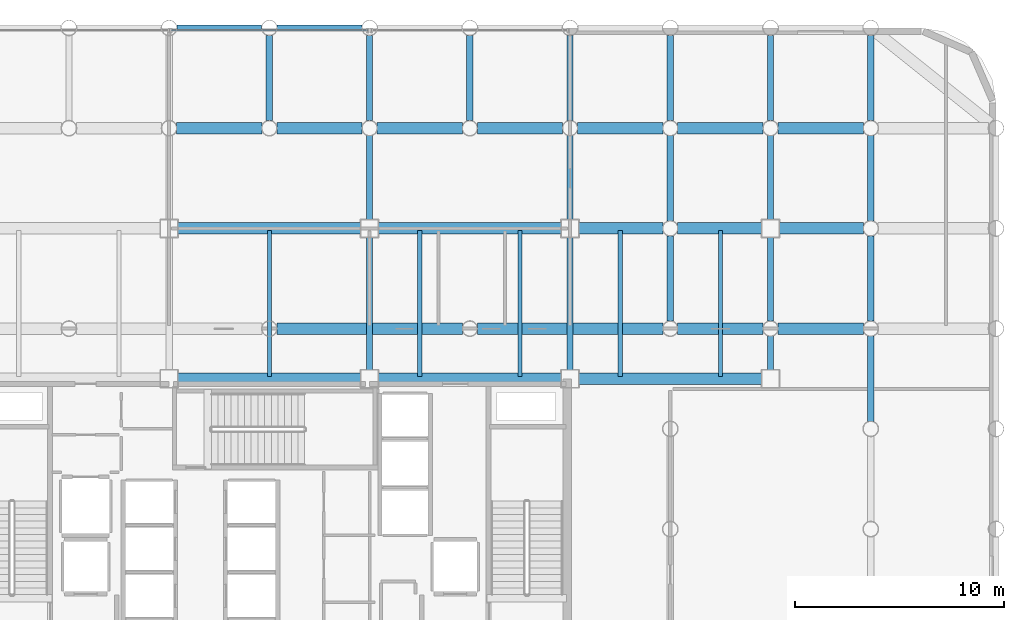
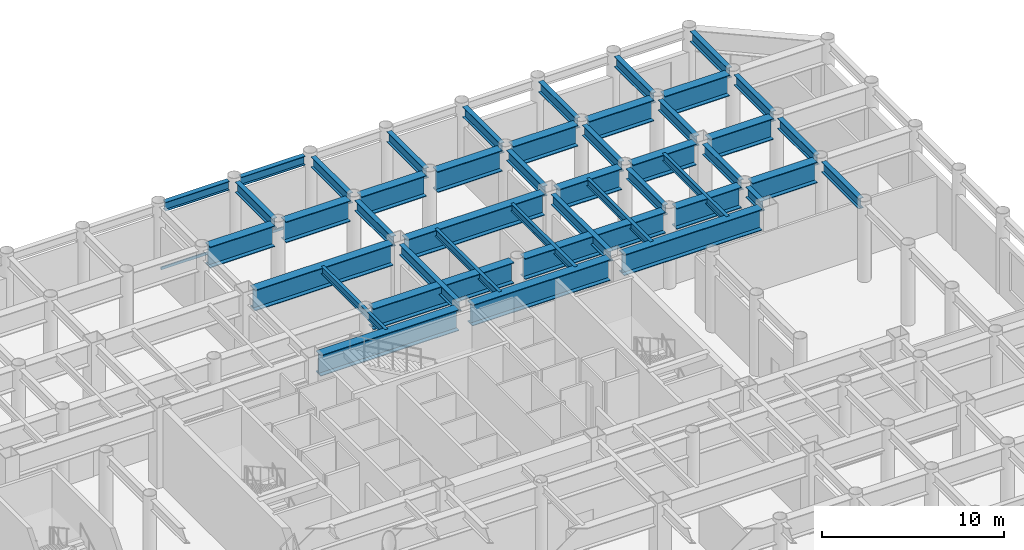
# One storey, part 9 of 17: 45 beams, 1 member, 1 element without a shape of its own.
"""IFC4 building model written with IfcOpenShell, lengths in metres."""

from ifc_helpers import new_model, si_unit, direction, frame, origin, origin_2d, place, context, subcontext, project, spatial, hollow_rectangle, i_section, extrude, material, layer, layer_set, material_profile, profile_set, type_object, element, aggregate, save


model = new_model("IFC4")

# Units and contexts
model_context = context("Model", 3, precision=1e-05, world=origin(), true_north=direction((0.0, 1.0)))
body_context = subcontext(model_context, "Body", "Model", "MODEL_VIEW")
ifc_project = project(units=[si_unit("LENGTHUNIT", "METRE"), si_unit("AREAUNIT", "SQUARE_METRE"), si_unit("VOLUMEUNIT", "CUBIC_METRE"), si_unit("PLANEANGLEUNIT", "RADIAN"), si_unit("MASSUNIT", "GRAM", prefix="KILO")], contexts=[model_context])

# Site, building, storey
site_placement = place(None, origin())
site = spatial("IfcSite", under=ifc_project, at=site_placement, CompositionType="ELEMENT")
building_placement = place(site_placement, origin())
building = spatial("IfcBuilding", under=site, at=building_placement, Name="Kallvorn Hotel Tower", CompositionType="ELEMENT")
storey_placement = place(building_placement, frame((0.0, 0.0, 19.199951171875)))
storey = spatial("IfcBuildingStorey", under=building, at=storey_placement, Name="L03", CompositionType="ELEMENT", Elevation=19.199951171875)

# Beams
ifc_material_1 = material(Name="Structural steel S355JR", Category="steel")
ifc_material_profile_1 = material_profile(ifc_material_1, i_section(OverallWidth=0.300048828125, OverallDepth=0.60009765625, WebThickness=0.015380859375, FlangeThickness=0.030029296875, at=origin_2d()), Name="HE 600 B")
ifc_profile_set_1 = profile_set([ifc_material_profile_1], Name="Structural steel S355JR")
beam_type_1 = type_object("IfcBeamType", Name="BM_HE600B", PredefinedType="SPANDREL", material=ifc_profile_set_1)
for number, where, z_axis, x_axis, name in (
    (1, (-4.428955078125, 24.0, 4.880126953125), (1.0, 0.0, 0.0), (0.0, 1.0, 0.0), "L04 Perimeter Spandrel 189"),
    (2, (0.37109375, 24.0, 4.880126953125), (1.0, 0.0, 0.0), (0.0, 1.0, 0.0), "L04 Perimeter Spandrel 190"),
):
    element("IfcBeam", number, at=place(storey_placement, frame(where, z_axis=z_axis, x_axis=x_axis)), inside=storey, type_object=beam_type_1, Name=name, PredefinedType="SPANDREL", context=body_context, shape_type="SweptSolid", body=[
        extrude(i_section(OverallWidth=0.300048828125, OverallDepth=0.60009765625, WebThickness=0.015380859375, FlangeThickness=0.030029296875, at=origin_2d()), origin(), (0.0, 0.0, 1.0), 4.057861328125),
    ])
ifc_material_2 = material(Name="Structural steel S355JR", Category="steel")
ifc_material_profile_2 = material_profile(ifc_material_2, i_section(OverallWidth=0.300048828125, OverallDepth=0.699951171875, WebThickness=0.01708984375, FlangeThickness=0.031982421875, at=origin_2d()), Name="HE 700 B")
ifc_profile_set_2 = profile_set([ifc_material_profile_2], Name="Structural steel S355JR")
beam_type_2 = type_object("IfcBeamType", Name="BM_HE700B", PredefinedType="BEAM", material=ifc_profile_set_2)
beam_1_placement = place(storey_placement, frame((0.0, 19.555908203125, 4.830078125), z_axis=(0.0, 1.0, 0.0), x_axis=(-1.0, 0.0, 0.0)))
element("IfcBeam", 3, at=beam_1_placement, inside=storey, type_object=beam_type_2, Name="L04 Primary Y-Girder 127", PredefinedType="BEAM", context=body_context, shape_type="SweptSolid", body=[
    extrude(i_section(OverallWidth=0.300048828125, OverallDepth=0.699951171875, WebThickness=0.01708984375, FlangeThickness=0.031982421875, at=origin_2d()), origin(), (0.0, 0.0, 1.0), 4.088134765625),
])
beam_2_placement = place(storey_placement, frame((4.800048828125, 7.625, 4.830078125), z_axis=(0.0, 1.0, 0.0), x_axis=(-1.0, 0.0, 0.0)))
element("IfcBeam", 4, at=beam_2_placement, inside=storey, type_object=beam_type_2, Name="L04 Primary Y-Girder 131", PredefinedType="BEAM", context=body_context, shape_type="SweptSolid", body=[
    extrude(i_section(OverallWidth=0.300048828125, OverallDepth=0.699951171875, WebThickness=0.01708984375, FlangeThickness=0.031982421875, at=origin_2d()), origin(), (0.0, 0.0, 1.0), 6.35009765625),
])
beam_3_placement = place(storey_placement, frame((4.800048828125, 14.824951171875, 4.830078125), z_axis=(0.0, 1.0, 0.0), x_axis=(-1.0, 0.0, 0.0)))
element("IfcBeam", 5, at=beam_3_placement, inside=storey, type_object=beam_type_2, Name="L04 Primary Y-Girder 132", PredefinedType="BEAM", context=body_context, shape_type="SweptSolid", body=[
    extrude(i_section(OverallWidth=0.300048828125, OverallDepth=0.699951171875, WebThickness=0.01708984375, FlangeThickness=0.031982421875, at=origin_2d()), origin(), (0.0, 0.0, 1.0), 4.01904296875),
])
for number, where, z_axis, x_axis, name in (
    (6, (4.800048828125, 19.555908203125, 4.830078125), (0.0, 1.0, 0.0), (-1.0, 0.0, 0.0), "L04 Primary Y-Girder 133"),
    (7, (9.60009765625, 19.555908203125, 4.830078125), (0.0, 1.0, 0.0), (-1.0, 0.0, 0.0), "L04 Primary Y-Girder 137"),
):
    element("IfcBeam", number, at=place(storey_placement, frame(where, z_axis=z_axis, x_axis=x_axis)), inside=storey, type_object=beam_type_2, Name=name, PredefinedType="BEAM", context=body_context, shape_type="SweptSolid", body=[
        extrude(i_section(OverallWidth=0.300048828125, OverallDepth=0.699951171875, WebThickness=0.01708984375, FlangeThickness=0.031982421875, at=origin_2d()), origin(), (0.0, 0.0, 1.0), 4.088134765625),
    ])
beam_4_placement = place(storey_placement, frame((14.39990234375, 7.625, 4.830078125), z_axis=(0.0, 1.0, 0.0), x_axis=(-1.0, 0.0, 0.0)))
element("IfcBeam", 8, at=beam_4_placement, inside=storey, type_object=beam_type_2, Name="L04 Primary Y-Girder 141", PredefinedType="BEAM", context=body_context, shape_type="SweptSolid", body=[
    extrude(i_section(OverallWidth=0.300048828125, OverallDepth=0.699951171875, WebThickness=0.01708984375, FlangeThickness=0.031982421875, at=origin_2d()), origin(), (0.0, 0.0, 1.0), 6.35009765625),
])
beam_5_placement = place(storey_placement, frame((14.39990234375, 14.824951171875, 4.830078125), z_axis=(0.0, 1.0, 0.0), x_axis=(-1.0, 0.0, 0.0)))
element("IfcBeam", 9, at=beam_5_placement, inside=storey, type_object=beam_type_2, Name="L04 Primary Y-Girder 142", PredefinedType="BEAM", context=body_context, shape_type="SweptSolid", body=[
    extrude(i_section(OverallWidth=0.300048828125, OverallDepth=0.699951171875, WebThickness=0.01708984375, FlangeThickness=0.031982421875, at=origin_2d()), origin(), (0.0, 0.0, 1.0), 4.01904296875),
])
beam_6_placement = place(storey_placement, frame((14.39990234375, 19.555908203125, 4.830078125), z_axis=(0.0, 1.0, 0.0), x_axis=(-1.0, 0.0, 0.0)))
element("IfcBeam", 10, at=beam_6_placement, inside=storey, type_object=beam_type_2, Name="L04 Primary Y-Girder 143", PredefinedType="BEAM", context=body_context, shape_type="SweptSolid", body=[
    extrude(i_section(OverallWidth=0.300048828125, OverallDepth=0.699951171875, WebThickness=0.01708984375, FlangeThickness=0.031982421875, at=origin_2d()), origin(), (0.0, 0.0, 1.0), 4.088134765625),
])
for number, where, z_axis, x_axis, name in (
    (11, (19.199951171875, 9.9560546875, 4.830078125), (0.0, 1.0, 0.0), (-1.0, 0.0, 0.0), "L04 Primary Y-Girder 151"),
    (12, (19.199951171875, 14.756103515625, 4.830078125), (0.0, 1.0, 0.0), (-1.0, 0.0, 0.0), "L04 Primary Y-Girder 152"),
):
    element("IfcBeam", number, at=place(storey_placement, frame(where, z_axis=z_axis, x_axis=x_axis)), inside=storey, type_object=beam_type_2, Name=name, PredefinedType="BEAM", context=body_context, shape_type="SweptSolid", body=[
        extrude(i_section(OverallWidth=0.300048828125, OverallDepth=0.699951171875, WebThickness=0.01708984375, FlangeThickness=0.031982421875, at=origin_2d()), origin(), (0.0, 0.0, 1.0), 4.087890625),
    ])
beam_7_placement = place(storey_placement, frame((19.199951171875, 19.555908203125, 4.830078125), z_axis=(0.0, 1.0, 0.0), x_axis=(-1.0, 0.0, 0.0)))
element("IfcBeam", 13, at=beam_7_placement, inside=storey, type_object=beam_type_2, Name="L04 Primary Y-Girder 153", PredefinedType="BEAM", context=body_context, shape_type="SweptSolid", body=[
    extrude(i_section(OverallWidth=0.300048828125, OverallDepth=0.699951171875, WebThickness=0.01708984375, FlangeThickness=0.031982421875, at=origin_2d()), origin(), (0.0, 0.0, 1.0), 4.088134765625),
])
beam_8_placement = place(storey_placement, frame((24.0, 7.625, 4.830078125), z_axis=(0.0, 1.0, 0.0), x_axis=(-1.0, 0.0, 0.0)))
element("IfcBeam", 14, at=beam_8_placement, inside=storey, type_object=beam_type_2, Name="L04 Primary Y-Girder 158", PredefinedType="BEAM", context=body_context, shape_type="SweptSolid", body=[
    extrude(i_section(OverallWidth=0.300048828125, OverallDepth=0.699951171875, WebThickness=0.01708984375, FlangeThickness=0.031982421875, at=origin_2d()), origin(), (0.0, 0.0, 1.0), 1.618896484375),
])
for number, where, z_axis, x_axis, name in (
    (15, (24.0, 9.9560546875, 4.830078125), (0.0, 1.0, 0.0), (-1.0, 0.0, 0.0), "L04 Primary Y-Girder 159"),
    (16, (24.0, 14.824951171875, 4.830078125), (0.0, 1.0, 0.0), (-1.0, 0.0, 0.0), "L04 Primary Y-Girder 160"),
):
    element("IfcBeam", number, at=place(storey_placement, frame(where, z_axis=z_axis, x_axis=x_axis)), inside=storey, type_object=beam_type_2, Name=name, PredefinedType="BEAM", context=body_context, shape_type="SweptSolid", body=[
        extrude(i_section(OverallWidth=0.300048828125, OverallDepth=0.699951171875, WebThickness=0.01708984375, FlangeThickness=0.031982421875, at=origin_2d()), origin(), (0.0, 0.0, 1.0), 4.01904296875),
    ])
beam_9_placement = place(storey_placement, frame((24.0, 19.555908203125, 4.830078125), z_axis=(0.0, 1.0, 0.0), x_axis=(-1.0, 0.0, 0.0)))
element("IfcBeam", 17, at=beam_9_placement, inside=storey, type_object=beam_type_2, Name="L04 Primary Y-Girder 161", PredefinedType="BEAM", context=body_context, shape_type="SweptSolid", body=[
    extrude(i_section(OverallWidth=0.300048828125, OverallDepth=0.699951171875, WebThickness=0.01708984375, FlangeThickness=0.031982421875, at=origin_2d()), origin(), (0.0, 0.0, 1.0), 4.088134765625),
])
for number, where, z_axis, x_axis, name in (
    (18, (28.800048828125, 5.156005859375, 4.830078125), (0.0, 1.0, 0.0), (-1.0, 0.0, 0.0), "L04 Primary Y-Girder 168"),
    (19, (28.800048828125, 9.9560546875, 4.830078125), (0.0, 1.0, 0.0), (-1.0, 0.0, 0.0), "L04 Primary Y-Girder 169"),
    (20, (28.800048828125, 14.756103515625, 4.830078125), (0.0, 1.0, 0.0), (-1.0, 0.0, 0.0), "L04 Primary Y-Girder 170"),
):
    element("IfcBeam", number, at=place(storey_placement, frame(where, z_axis=z_axis, x_axis=x_axis)), inside=storey, type_object=beam_type_2, Name=name, PredefinedType="BEAM", context=body_context, shape_type="SweptSolid", body=[
        extrude(i_section(OverallWidth=0.300048828125, OverallDepth=0.699951171875, WebThickness=0.01708984375, FlangeThickness=0.031982421875, at=origin_2d()), origin(), (0.0, 0.0, 1.0), 4.087890625),
    ])
beam_10_placement = place(storey_placement, frame((28.800048828125, 19.555908203125, 4.830078125), z_axis=(0.0, 1.0, 0.0), x_axis=(-1.0, 0.0, 0.0)))
element("IfcBeam", 21, at=beam_10_placement, inside=storey, type_object=beam_type_2, Name="L04 Primary Y-Girder 171", PredefinedType="BEAM", context=body_context, shape_type="SweptSolid", body=[
    extrude(i_section(OverallWidth=0.300048828125, OverallDepth=0.699951171875, WebThickness=0.01708984375, FlangeThickness=0.031982421875, at=origin_2d()), origin(), (0.0, 0.0, 1.0), 4.088134765625),
])
ifc_material_3 = material(Name="Structural steel S355JR", Category="steel")
ifc_material_profile_3 = material_profile(ifc_material_3, i_section(OverallWidth=0.199951171875, OverallDepth=0.5, WebThickness=0.01025390625, FlangeThickness=0.01611328125, at=origin_2d()), Name="IPE 500")
ifc_profile_set_3 = profile_set([ifc_material_profile_3], Name="Structural steel S355JR")
beam_type_3 = type_object("IfcBeamType", Name="BM_IPE500", PredefinedType="JOIST", material=ifc_profile_set_3)
for number, where, z_axis, x_axis, name in (
    (22, (0.0, 7.300048828125, 4.929931640625), (0.0, 1.0, 0.0), (-1.0, 0.0, 0.0), "L04 Secondary Composite Joist 225"),
    (23, (7.199951171875, 7.300048828125, 4.929931640625), (0.0, 1.0, 0.0), (-1.0, 0.0, 0.0), "L04 Secondary Composite Joist 227"),
    (24, (12.0, 7.300048828125, 4.929931640625), (0.0, 1.0, 0.0), (-1.0, 0.0, 0.0), "L04 Secondary Composite Joist 229"),
    (25, (16.800048828125, 7.300048828125, 4.929931640625), (0.0, 1.0, 0.0), (-1.0, 0.0, 0.0), "L04 Secondary Composite Joist 231"),
    (26, (21.60009765625, 7.300048828125, 4.929931640625), (0.0, 1.0, 0.0), (-1.0, 0.0, 0.0), "L04 Secondary Composite Joist 233"),
):
    element("IfcBeam", number, at=place(storey_placement, frame(where, z_axis=z_axis, x_axis=x_axis)), inside=storey, type_object=beam_type_3, Name=name, PredefinedType="JOIST", context=body_context, shape_type="SweptSolid", body=[
        extrude(i_section(OverallWidth=0.199951171875, OverallDepth=0.5, WebThickness=0.01025390625, FlangeThickness=0.01611328125, at=origin_2d()), origin(), (0.0, 0.0, 1.0), 7.0),
    ])
ifc_material_4 = material(Name="Structural steel S355JR", Category="steel")
ifc_material_profile_4 = material_profile(ifc_material_4, i_section(OverallWidth=0.550048828125, OverallDepth=1.39990234375, WebThickness=0.02490234375, FlangeThickness=0.044921875, at=origin_2d()), Name="PG 1400x550x25x45")
ifc_profile_set_4 = profile_set([ifc_material_profile_4], Name="Structural steel S355JR")
beam_type_4 = type_object("IfcBeamType", Name="BM_PG_1400", PredefinedType="BEAM", material=ifc_profile_set_4)
for number, where, z_axis, x_axis, name in (
    (27, (-4.375, 7.199951171875, 4.47998046875), (1.0, 0.0, 0.0), (0.0, 1.0, 0.0), "L04 Primary X-Girder 42"),
    (28, (5.22509765625, 7.199951171875, 4.47998046875), (1.0, 0.0, 0.0), (0.0, 1.0, 0.0), "L04 Primary X-Girder 43"),
    (29, (14.824951171875, 7.199951171875, 4.47998046875), (1.0, 0.0, 0.0), (0.0, 1.0, 0.0), "L04 Primary X-Girder 44"),
):
    element("IfcBeam", number, at=place(storey_placement, frame(where, z_axis=z_axis, x_axis=x_axis)), inside=storey, type_object=beam_type_4, Name=name, PredefinedType="BEAM", context=body_context, shape_type="SweptSolid", body=[
        extrude(i_section(OverallWidth=0.550048828125, OverallDepth=1.39990234375, WebThickness=0.02490234375, FlangeThickness=0.044921875, at=origin_2d()), origin(), (0.0, 0.0, 1.0), 8.75),
    ])
for number, where, z_axis, x_axis, name in (
    (30, (0.35595703125, 9.60009765625, 4.47998046875), (1.0, 0.0, 0.0), (0.0, 1.0, 0.0), "L04 Primary X-Girder 50"),
    (31, (9.9560546875, 9.60009765625, 4.47998046875), (1.0, 0.0, 0.0), (0.0, 1.0, 0.0), "L04 Primary X-Girder 51"),
):
    element("IfcBeam", number, at=place(storey_placement, frame(where, z_axis=z_axis, x_axis=x_axis)), inside=storey, type_object=beam_type_4, Name=name, PredefinedType="BEAM", context=body_context, shape_type="SweptSolid", body=[
        extrude(i_section(OverallWidth=0.550048828125, OverallDepth=1.39990234375, WebThickness=0.02490234375, FlangeThickness=0.044921875, at=origin_2d()), origin(), (0.0, 0.0, 1.0), 8.887939453125),
    ])
for number, where, z_axis, x_axis, name in (
    (32, (19.555908203125, 9.60009765625, 4.47998046875), (1.0, 0.0, 0.0), (0.0, 1.0, 0.0), "L04 Primary X-Girder 52"),
    (33, (24.35595703125, 9.60009765625, 4.47998046875), (1.0, 0.0, 0.0), (0.0, 1.0, 0.0), "L04 Primary X-Girder 53"),
):
    element("IfcBeam", number, at=place(storey_placement, frame(where, z_axis=z_axis, x_axis=x_axis)), inside=storey, type_object=beam_type_4, Name=name, PredefinedType="BEAM", context=body_context, shape_type="SweptSolid", body=[
        extrude(i_section(OverallWidth=0.550048828125, OverallDepth=1.39990234375, WebThickness=0.02490234375, FlangeThickness=0.044921875, at=origin_2d()), origin(), (0.0, 0.0, 1.0), 4.088134765625),
    ])
for number, where, z_axis, x_axis, name in (
    (34, (-4.375, 14.39990234375, 4.47998046875), (1.0, 0.0, 0.0), (0.0, 1.0, 0.0), "L04 Primary X-Girder 60"),
    (35, (5.22509765625, 14.39990234375, 4.47998046875), (1.0, 0.0, 0.0), (0.0, 1.0, 0.0), "L04 Primary X-Girder 61"),
):
    element("IfcBeam", number, at=place(storey_placement, frame(where, z_axis=z_axis, x_axis=x_axis)), inside=storey, type_object=beam_type_4, Name=name, PredefinedType="BEAM", context=body_context, shape_type="SweptSolid", body=[
        extrude(i_section(OverallWidth=0.550048828125, OverallDepth=1.39990234375, WebThickness=0.02490234375, FlangeThickness=0.044921875, at=origin_2d()), origin(), (0.0, 0.0, 1.0), 8.75),
    ])
for number, where, z_axis, x_axis, name in (
    (36, (14.824951171875, 14.39990234375, 4.47998046875), (1.0, 0.0, 0.0), (0.0, 1.0, 0.0), "L04 Primary X-Girder 62"),
    (37, (19.555908203125, 14.39990234375, 4.47998046875), (1.0, 0.0, 0.0), (0.0, 1.0, 0.0), "L04 Primary X-Girder 63"),
    (38, (24.425048828125, 14.39990234375, 4.47998046875), (1.0, 0.0, 0.0), (0.0, 1.0, 0.0), "L04 Primary X-Girder 64"),
):
    element("IfcBeam", number, at=place(storey_placement, frame(where, z_axis=z_axis, x_axis=x_axis)), inside=storey, type_object=beam_type_4, Name=name, PredefinedType="BEAM", context=body_context, shape_type="SweptSolid", body=[
        extrude(i_section(OverallWidth=0.550048828125, OverallDepth=1.39990234375, WebThickness=0.02490234375, FlangeThickness=0.044921875, at=origin_2d()), origin(), (0.0, 0.0, 1.0), 4.01904296875),
    ])
for number, where, z_axis, x_axis, name in (
    (39, (-4.444091796875, 19.199951171875, 4.47998046875), (1.0, 0.0, 0.0), (0.0, 1.0, 0.0), "L04 Primary X-Girder 72"),
    (40, (0.35595703125, 19.199951171875, 4.47998046875), (1.0, 0.0, 0.0), (0.0, 1.0, 0.0), "L04 Primary X-Girder 73"),
):
    element("IfcBeam", number, at=place(storey_placement, frame(where, z_axis=z_axis, x_axis=x_axis)), inside=storey, type_object=beam_type_4, Name=name, PredefinedType="BEAM", context=body_context, shape_type="SweptSolid", body=[
        extrude(i_section(OverallWidth=0.550048828125, OverallDepth=1.39990234375, WebThickness=0.02490234375, FlangeThickness=0.044921875, at=origin_2d()), origin(), (0.0, 0.0, 1.0), 4.088134765625),
    ])
for number, where, z_axis, x_axis, name in (
    (41, (5.156005859375, 19.199951171875, 4.47998046875), (1.0, 0.0, 0.0), (0.0, 1.0, 0.0), "L04 Primary X-Girder 74"),
    (42, (9.9560546875, 19.199951171875, 4.47998046875), (1.0, 0.0, 0.0), (0.0, 1.0, 0.0), "L04 Primary X-Girder 75"),
    (43, (14.756103515625, 19.199951171875, 4.47998046875), (1.0, 0.0, 0.0), (0.0, 1.0, 0.0), "L04 Primary X-Girder 76"),
):
    element("IfcBeam", number, at=place(storey_placement, frame(where, z_axis=z_axis, x_axis=x_axis)), inside=storey, type_object=beam_type_4, Name=name, PredefinedType="BEAM", context=body_context, shape_type="SweptSolid", body=[
        extrude(i_section(OverallWidth=0.550048828125, OverallDepth=1.39990234375, WebThickness=0.02490234375, FlangeThickness=0.044921875, at=origin_2d()), origin(), (0.0, 0.0, 1.0), 4.087890625),
    ])
for number, where, z_axis, x_axis, name in (
    (44, (19.555908203125, 19.199951171875, 4.47998046875), (1.0, 0.0, 0.0), (0.0, 1.0, 0.0), "L04 Primary X-Girder 77"),
    (45, (24.35595703125, 19.199951171875, 4.47998046875), (1.0, 0.0, 0.0), (0.0, 1.0, 0.0), "L04 Primary X-Girder 78"),
):
    element("IfcBeam", number, at=place(storey_placement, frame(where, z_axis=z_axis, x_axis=x_axis)), inside=storey, type_object=beam_type_4, Name=name, PredefinedType="BEAM", context=body_context, shape_type="SweptSolid", body=[
        extrude(i_section(OverallWidth=0.550048828125, OverallDepth=1.39990234375, WebThickness=0.02490234375, FlangeThickness=0.044921875, at=origin_2d()), origin(), (0.0, 0.0, 1.0), 4.088134765625),
    ])

# Curtain wall, member
ifc_material_5 = material(Name="Thermally broken black-anodised aluminium AA 6063-T6", Category="aluminium")
ifc_layer = layer(ifc_material_5, 0.219970703125)
ifc_layer_set = layer_set([ifc_layer], Name="CW_SYS_2_PODIUM_CASC")
curtain_wall_type = type_object("IfcCurtainWallType", Name="CW_SYS_2_PODIUM_CASC", PredefinedType="USERDEFINED", material=ifc_layer_set)
curtain_wall_placement = place(storey_placement, origin())
curtain_wall = element("IfcCurtainWall", 46, at=curtain_wall_placement, inside=storey, type_object=curtain_wall_type, Name="L03 Dark-Glass Curtain Wall CW-L03-N2", ObjectType="UNITISED CURTAIN WALL", PredefinedType="USERDEFINED")
ifc_material_6 = material(Name="Thermally broken black-anodised aluminium AA 6063-T6", Category="aluminium")
ifc_material_profile_5 = material_profile(ifc_material_6, hollow_rectangle(XDim=0.070068359375, YDim=0.179931640625, WallThickness=0.00390625, at=origin_2d()), Name="TRN 180x70")
ifc_profile_set_5 = profile_set([ifc_material_profile_5], Name="Thermally broken black-anodised aluminium AA 6063-T6")
member_type = type_object("IfcMemberType", Name="CW_TRANSOM_180x70", PredefinedType="USERDEFINED", material=ifc_profile_set_5)
member_placement = place(storey_placement, frame((-4.7099609375, 23.8798828125, 0.85009765625), z_axis=(1.0, 0.0, 0.0), x_axis=(0.0, 1.0, 0.0)))
member = element("IfcMember", 47, at=member_placement, type_object=member_type, Name="CW-L03-N2 Transom 00M", ObjectType="TRANSOM", PredefinedType="USERDEFINED", context=body_context, shape_type="SweptSolid", body=[
    extrude(hollow_rectangle(XDim=0.070068359375, YDim=0.179931640625, WallThickness=0.00390625, at=origin_2d()), origin(), (0.0, 0.0, 1.0), 9.419921875),
])
aggregate(curtain_wall, [member])

save(model, "model.ifc")
